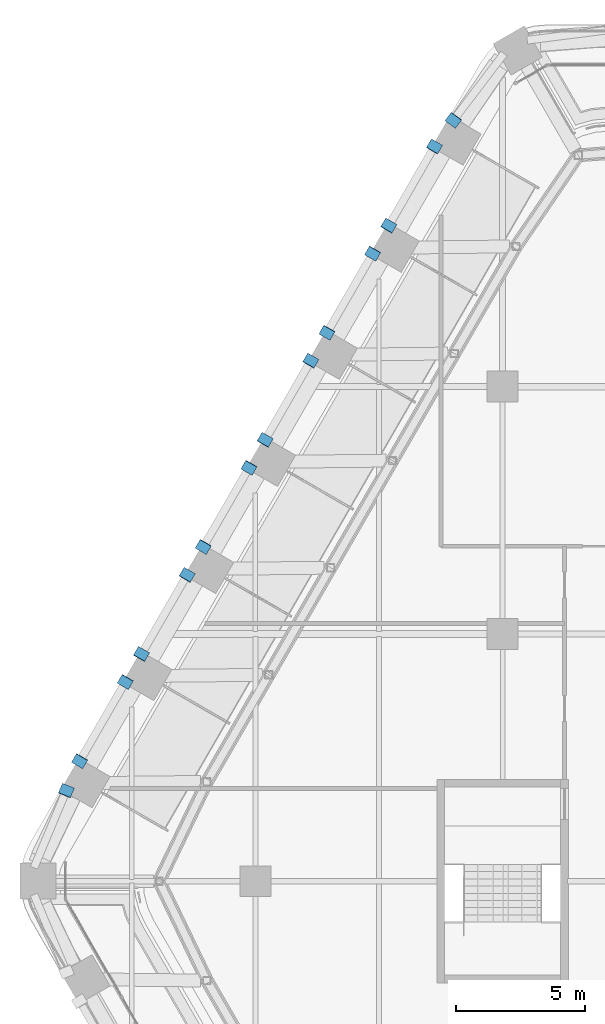
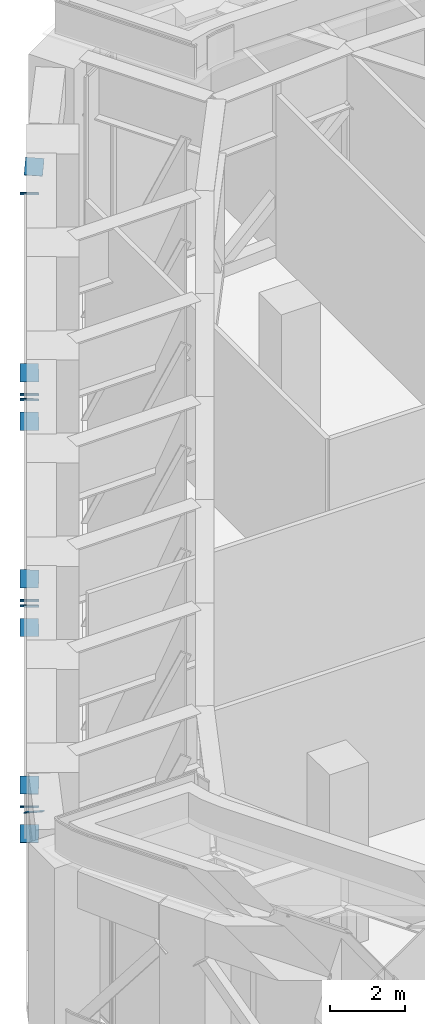
# One storey, part 29 of 35: 14 discrete accessories.
"""IFC4 building model written with IfcOpenShell, lengths in metres."""

from ifc_helpers import new_model, si_unit, direction, frame, origin, origin_2d, place, context, subcontext, project, spatial, rectangle, extrude, element, save


model = new_model("IFC4")

# Units and contexts
model_context = context("Model", 3, precision=1e-05, world=origin(), true_north=direction((0.0, 1.0)))
body_context = subcontext(model_context, "Body", "Model", "MODEL_VIEW")
ifc_project = project(units=[si_unit("LENGTHUNIT", "METRE"), si_unit("AREAUNIT", "SQUARE_METRE"), si_unit("VOLUMEUNIT", "CUBIC_METRE"), si_unit("PLANEANGLEUNIT", "RADIAN"), si_unit("MASSUNIT", "GRAM", prefix="KILO")], contexts=[model_context])

# Site, building, storey
site_placement = place(None, origin())
site = spatial("IfcSite", under=ifc_project, at=site_placement, CompositionType="ELEMENT")
building_placement = place(site_placement, origin())
building = spatial("IfcBuilding", under=site, at=building_placement, Name="Kolab Exchange Tower", CompositionType="ELEMENT")
storey_placement = place(building_placement, frame((0.0, 0.0, 71.89990234375)))
storey = spatial("IfcBuildingStorey", under=building, at=storey_placement, Name="L13", CompositionType="ELEMENT", Elevation=71.89990234375)

# Discrete accessories
for number, where, z_axis, x_axis, name in (
    (1, (-36.13916015625, 3.5107421875, 4.4501953125), (0.234204865161, 0.565995090805, 0.790441419917), (-0.924016832422, 0.382351792726, 0.0), "Gusset plate"),
    (2, (-35.617431640625, 4.66796875, 4.4501953125), (-0.332614786834, -0.567401695188, 0.753274664301), (0.862697970098, -0.505719499712, 0.0), "Gusset plate"),
    (3, (-33.851318359375, 7.72705078125, 0.400146484375), (0.332614786834, 0.567401695188, -0.753274664301), (-0.862697970098, 0.505719499712, 0.0), "Gusset plate"),
    (4, (-33.217529296875, 8.824951171875, 0.400146484375), (-0.323872018217, -0.569229607776, -0.75570137584), (0.869163832024, -0.494524249255, 0.0), "Gusset plate"),
    (5, (-31.451416015625, 11.884033203125, 4.4501953125), (0.332614786834, 0.567401695188, 0.753274664301), (-0.862697970098, 0.505719499712, 0.0), "Gusset plate"),
    (6, (-30.8173828125, 12.981689453125, 4.4501953125), (-0.332614786834, -0.567401695188, 0.753274664301), (0.862697970098, -0.505719499712, 0.0), "Gusset plate"),
    (7, (-29.05126953125, 16.041015625, 0.400146484375), (0.323872018217, 0.569229607776, -0.75570137584), (-0.869163832024, 0.494524249255, 0.0), "Gusset plate"),
):
    element("IfcDiscreteAccessory", number, at=place(storey_placement, frame(where, z_axis=z_axis, x_axis=x_axis)), inside=storey, Name=name, ObjectType="GUSSET PLATE", PredefinedType="USERDEFINED", context=body_context, shape_type="SweptSolid", body=[
        extrude(rectangle(XDim=0.5, YDim=0.5, at=origin_2d()), origin(), (0.0, 0.0, 1.0), 0.02490234375),
    ])
discrete_accessory_placement = place(storey_placement, frame((-28.41748046875, 17.138916015625, 0.400146484375), z_axis=(-0.330768096403, -0.573979931994, -0.749092453619), x_axis=(0.866429964967, -0.499298623879, 0.0)))
element("IfcDiscreteAccessory", 8, at=discrete_accessory_placement, inside=storey, Name="Gusset plate", ObjectType="GUSSET PLATE", PredefinedType="USERDEFINED", context=body_context, shape_type="SweptSolid", body=[
    extrude(rectangle(XDim=0.5, YDim=0.5, at=origin_2d()), origin(), (0.0, 0.0, 1.0), 0.025146484375),
])
for number, where, z_axis, x_axis, name in (
    (9, (-26.6513671875, 20.19775390625, 4.4501953125), (0.332614786834, 0.567401695188, 0.753274664301), (-0.862697970098, 0.505719499712, 0.0), "Gusset plate"),
    (10, (-26.017578125, 21.295654296875, 4.4501953125), (-0.323872018217, -0.569229607776, 0.75570137584), (0.869163832024, -0.494524249255, 0.0), "Gusset plate"),
    (11, (-24.251220703125, 24.354736328125, 0.400146484375), (0.323872018217, 0.569229607776, -0.75570137584), (-0.869163832024, 0.494524249255, 0.0), "Gusset plate"),
    (12, (-23.617431640625, 25.45263671875, 0.400146484375), (-0.332614786834, -0.567401695188, -0.753274664301), (0.862697970098, -0.505719499712, 0.0), "Gusset plate"),
    (13, (-21.851318359375, 28.51171875, 4.4501953125), (0.332614786834, 0.567401695188, 0.753274664301), (-0.862697970098, 0.505719499712, 0.0), "Gusset plate"),
    (14, (-21.110107421875, 29.5419921875, 4.4501953125), (-0.362292688761, -0.489584714542, 0.793127237558), (0.803841899203, -0.59484300541, 0.0), "Gusset plate"),
):
    element("IfcDiscreteAccessory", number, at=place(storey_placement, frame(where, z_axis=z_axis, x_axis=x_axis)), inside=storey, Name=name, ObjectType="GUSSET PLATE", PredefinedType="USERDEFINED", context=body_context, shape_type="SweptSolid", body=[
        extrude(rectangle(XDim=0.5, YDim=0.5, at=origin_2d()), origin(), (0.0, 0.0, 1.0), 0.02490234375),
    ])

save(model, "model.ifc")
